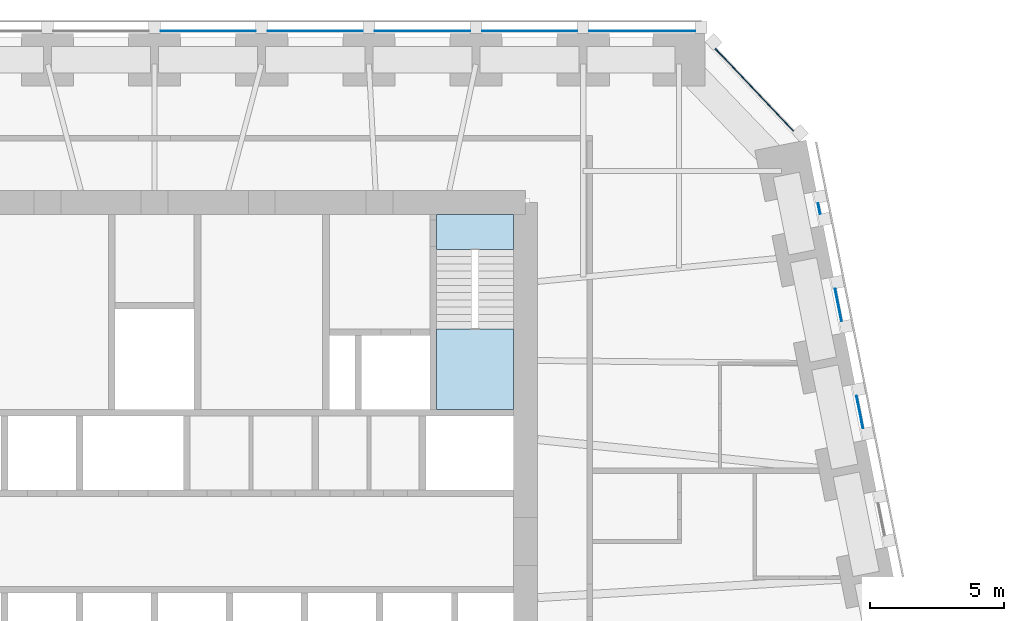
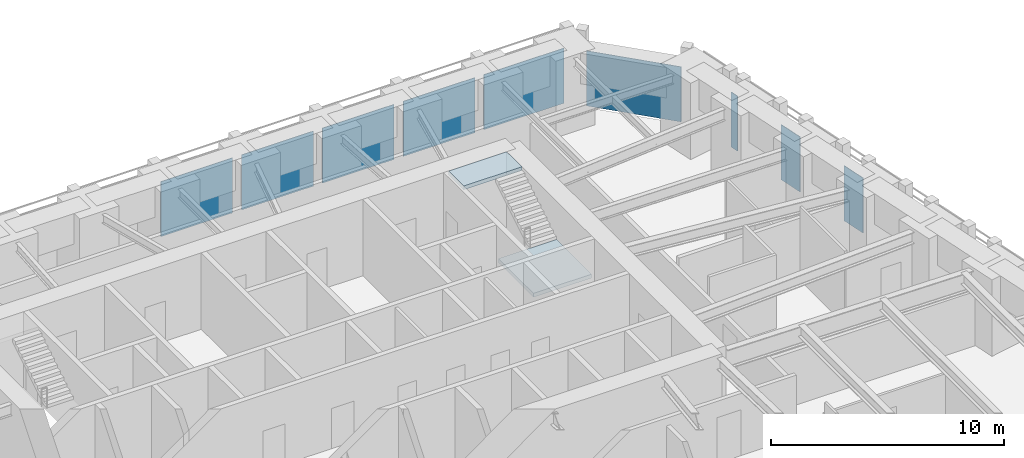
# One storey, part 11 of 16: 9 plates, 2 slabs, 6 elements without a shape of their own.
"""IFC4 building model written with IfcOpenShell, lengths in metres."""

from ifc_helpers import new_model, si_unit, direction, frame, origin, origin_2d, place, context, subcontext, project, spatial, polyline, rectangle, outline, extrude, material, layer, layer_set, type_object, element, aggregate, save


model = new_model("IFC4")

# Units and contexts
model_context = context("Model", 3, precision=1e-05, world=origin(), true_north=direction((0.0, 1.0)))
body_context = subcontext(model_context, "Body", "Model", "MODEL_VIEW")
ifc_project = project(units=[si_unit("LENGTHUNIT", "METRE"), si_unit("AREAUNIT", "SQUARE_METRE"), si_unit("VOLUMEUNIT", "CUBIC_METRE"), si_unit("PLANEANGLEUNIT", "RADIAN"), si_unit("MASSUNIT", "GRAM", prefix="KILO")], contexts=[model_context])

# Site, building, storey
site_placement = place(None, origin())
site = spatial("IfcSite", under=ifc_project, at=site_placement, CompositionType="ELEMENT")
building_placement = place(site_placement, origin())
building = spatial("IfcBuilding", under=site, at=building_placement, Name="Isbrekke Arena Tower", CompositionType="ELEMENT")
storey_placement = place(building_placement, frame((0.0, 0.0, 40.0)))
storey = spatial("IfcBuildingStorey", under=building, at=storey_placement, Name="L07", CompositionType="ELEMENT", Elevation=40.0)

# Curtain wall, plate
ifc_material_1 = material(Name="Glazed aluminium curtain wall", Category="aluminium")
curtain_wall_type = type_object("IfcCurtainWallType", Name="CWL TOWER CURTAIN WALL LOW ZONE", PredefinedType="USERDEFINED", material=ifc_material_1)
curtain_wall_1_placement = place(storey_placement, origin())
curtain_wall_1 = element("IfcCurtainWall", 1, at=curtain_wall_1_placement, inside=storey, type_object=curtain_wall_type, Name="CWL curtain wall L07-E15", ObjectType="TOWER CURTAIN WALL LOW ZONE", PredefinedType="USERDEFINED")
ifc_material_2 = material(Name="Triple-glazed clear glass unit", Category="glass")
ifc_layer_1 = layer(ifc_material_2, 0.031982421875)
ifc_layer_set_1 = layer_set([ifc_layer_1], Name="CWL-P VISION PANEL")
plate_type = type_object("IfcPlateType", Name="CWL-P VISION PANEL", PredefinedType="CURTAIN_PANEL", material=ifc_layer_set_1)
plate_1_placement = place(storey_placement, frame((26.322509765625, 16.0244140625, 0.02001953125), z_axis=(0.0, 0.0, 1.0), x_axis=(-0.196116135138, 0.980580675691, 0.0)))
plate_1 = element("IfcPlate", 2, at=plate_1_placement, type_object=plate_type, Name="CWL-P panel 1", PredefinedType="CURTAIN_PANEL", context=body_context, shape_type="SweptSolid", body=[
    extrude(rectangle(XDim=1.229248046875, YDim=0.031982421875, at=origin_2d()), origin(), (0.0, 0.0, 1.0), 2.8798828125),
])
aggregate(curtain_wall_1, [plate_1])

curtain_wall_2_placement = place(storey_placement, origin())
curtain_wall_2 = element("IfcCurtainWall", 3, at=curtain_wall_2_placement, inside=storey, type_object=curtain_wall_type, Name="CWL curtain wall L07-E17", ObjectType="TOWER CURTAIN WALL LOW ZONE", PredefinedType="USERDEFINED")
plate_2_placement = place(storey_placement, frame((25.5224609375, 20.0244140625, 0.02001953125), z_axis=(0.0, 0.0, 1.0), x_axis=(-0.196116135138, 0.980580675691, 0.0)))
plate_2 = element("IfcPlate", 4, at=plate_2_placement, type_object=plate_type, Name="CWL-P panel 1", PredefinedType="CURTAIN_PANEL", context=body_context, shape_type="SweptSolid", body=[
    extrude(rectangle(XDim=1.229248046875, YDim=0.031982421875, at=origin_2d()), origin(), (0.0, 0.0, 1.0), 2.8798828125),
])
aggregate(curtain_wall_2, [plate_2])

curtain_wall_3_placement = place(storey_placement, origin())
curtain_wall_3 = element("IfcCurtainWall", 5, at=curtain_wall_3_placement, inside=storey, type_object=curtain_wall_type, Name="CWL curtain wall L07-E19", ObjectType="TOWER CURTAIN WALL LOW ZONE", PredefinedType="USERDEFINED")
plate_3_placement = place(storey_placement, frame((24.80322265625, 23.62109375, 0.02001953125), z_axis=(0.0, 0.0, 1.0), x_axis=(-0.196116135138, 0.980580675691, 0.0)))
plate_3 = element("IfcPlate", 6, at=plate_3_placement, type_object=plate_type, Name="CWL-P panel 1", PredefinedType="CURTAIN_PANEL", context=body_context, shape_type="SweptSolid", body=[
    extrude(rectangle(XDim=0.40625, YDim=0.031982421875, at=origin_2d()), origin(), (0.0, 0.0, 1.0), 2.8798828125),
])
aggregate(curtain_wall_3, [plate_3])

curtain_wall_4_placement = place(storey_placement, origin())
curtain_wall_4 = element("IfcCurtainWall", 7, at=curtain_wall_4_placement, inside=storey, type_object=curtain_wall_type, Name="CWL curtain wall L07-EN", ObjectType="TOWER CURTAIN WALL LOW ZONE", PredefinedType="USERDEFINED")
plate_4_placement = place(storey_placement, frame((22.386474609375, 28.05419921875, 0.02001953125), z_axis=(0.0, 0.0, 1.0), x_axis=(-0.68874946192, 0.72499943359, 0.0)))
plate_4 = element("IfcPlate", 8, at=plate_4_placement, type_object=plate_type, Name="CWL-P panel 1", PredefinedType="CURTAIN_PANEL", context=body_context, shape_type="SweptSolid", body=[
    extrude(rectangle(XDim=4.22900390625, YDim=0.031982421875, at=origin_2d()), origin(), (0.0, 0.0, 1.0), 2.8798828125),
])
aggregate(curtain_wall_4, [plate_4])

# Curtain wall, plates
curtain_wall_5_placement = place(storey_placement, origin())
curtain_wall_5 = element("IfcCurtainWall", 9, at=curtain_wall_5_placement, inside=storey, type_object=curtain_wall_type, Name="CWL curtain wall L07-N", ObjectType="TOWER CURTAIN WALL LOW ZONE", PredefinedType="USERDEFINED")
plate_5_placement = place(storey_placement, frame((18.199951171875, 30.25, 0.02001953125), z_axis=(0.0, 0.0, 1.0), x_axis=(-1.0, 0.0, 0.0)))
plate_5 = element("IfcPlate", 10, at=plate_5_placement, type_object=plate_type, Name="CWL-P panel 1", PredefinedType="CURTAIN_PANEL", context=body_context, shape_type="SweptSolid", body=[
    extrude(rectangle(XDim=3.949951171875, YDim=0.031982421875, at=origin_2d()), origin(), (0.0, 0.0, 1.0), 2.8798828125),
])
plate_6_placement = place(storey_placement, frame((14.0, 30.25, 0.02001953125), z_axis=(0.0, 0.0, 1.0), x_axis=(-1.0, 0.0, 0.0)))
plate_6 = element("IfcPlate", 11, at=plate_6_placement, type_object=plate_type, Name="CWL-P panel 2", PredefinedType="CURTAIN_PANEL", context=body_context, shape_type="SweptSolid", body=[
    extrude(rectangle(XDim=3.550048828125, YDim=0.031982421875, at=origin_2d()), origin(), (0.0, 0.0, 1.0), 2.8798828125),
])
plate_7_placement = place(storey_placement, frame((10.0, 30.25, 0.02001953125), z_axis=(0.0, 0.0, 1.0), x_axis=(-1.0, 0.0, 0.0)))
plate_7 = element("IfcPlate", 12, at=plate_7_placement, type_object=plate_type, Name="CWL-P panel 3", PredefinedType="CURTAIN_PANEL", context=body_context, shape_type="SweptSolid", body=[
    extrude(rectangle(XDim=3.550048828125, YDim=0.031982421875, at=origin_2d()), origin(), (0.0, 0.0, 1.0), 2.8798828125),
])
plate_8_placement = place(storey_placement, frame((6.0, 30.25, 0.02001953125), z_axis=(0.0, 0.0, 1.0), x_axis=(-1.0, 0.0, 0.0)))
plate_8 = element("IfcPlate", 13, at=plate_8_placement, type_object=plate_type, Name="CWL-P panel 4", PredefinedType="CURTAIN_PANEL", context=body_context, shape_type="SweptSolid", body=[
    extrude(rectangle(XDim=3.550048828125, YDim=0.031982421875, at=origin_2d()), origin(), (0.0, 0.0, 1.0), 2.8798828125),
])
plate_9_placement = place(storey_placement, frame((2.0, 30.25, 0.02001953125), z_axis=(0.0, 0.0, 1.0), x_axis=(-1.0, 0.0, 0.0)))
plate_9 = element("IfcPlate", 14, at=plate_9_placement, type_object=plate_type, Name="CWL-P panel 5", PredefinedType="CURTAIN_PANEL", context=body_context, shape_type="SweptSolid", body=[
    extrude(rectangle(XDim=3.550048828125, YDim=0.031982421875, at=origin_2d()), origin(), (0.0, 0.0, 1.0), 2.8798828125),
])
aggregate(curtain_wall_5, [plate_5, plate_6, plate_7, plate_8, plate_9])

# Stair, slabs
ifc_material_3 = material(Name="Concrete B45 (C45/55) precast", Category="concrete")
stair_type = type_object("IfcStairType", Name="ST40 STAIR 1300 WIDE, 24 RISERS 167", PredefinedType="HALF_TURN_STAIR", material=ifc_material_3)
stair_placement = place(storey_placement, origin())
stair = element("IfcStair", 15, at=stair_placement, inside=storey, type_object=stair_type, Name="ST2 stair L07", PredefinedType="HALF_TURN_STAIR")
ifc_material_4 = material(Name="Concrete B35 (C35/45)", Category="concrete")
ifc_layer_2 = layer(ifc_material_4, 0.199951171875)
ifc_layer_set_2 = layer_set([ifc_layer_2], Name="SL1 STAIR LANDING 200")
slab_type = type_object("IfcSlabType", Name="SL1 STAIR LANDING 200", PredefinedType="LANDING", material=ifc_layer_set_2)
slab_1_placement = place(storey_placement, frame((0.0, 0.0, 1.800048828125)))
slab_1 = element("IfcSlab", 16, at=slab_1_placement, type_object=slab_type, Name="ST2 landing 1", PredefinedType="LANDING", context=body_context, shape_type="SweptSolid", body=[
    extrude(outline(polyline([(10.52490234375, 16.125), (13.39990234375, 16.125), (13.39990234375, 19.1298828125), (10.52490234375, 19.1298828125), (10.52490234375, 16.125)])), origin(), (0.0, 0.0, 1.0), 0.199951171875),
])
slab_2_placement = place(storey_placement, frame((0.0, 0.0, 3.800048828125)))
slab_2 = element("IfcSlab", 17, at=slab_2_placement, type_object=slab_type, Name="ST2 landing 2", PredefinedType="LANDING", context=body_context, shape_type="SweptSolid", body=[
    extrude(outline(polyline([(10.52490234375, 22.10009765625), (13.39990234375, 22.10009765625), (13.39990234375, 23.39990234375), (10.52490234375, 23.39990234375), (10.52490234375, 22.10009765625)])), origin(), (0.0, 0.0, 1.0), 0.199951171875),
])
aggregate(stair, [slab_1, slab_2])

save(model, "model.ifc")
